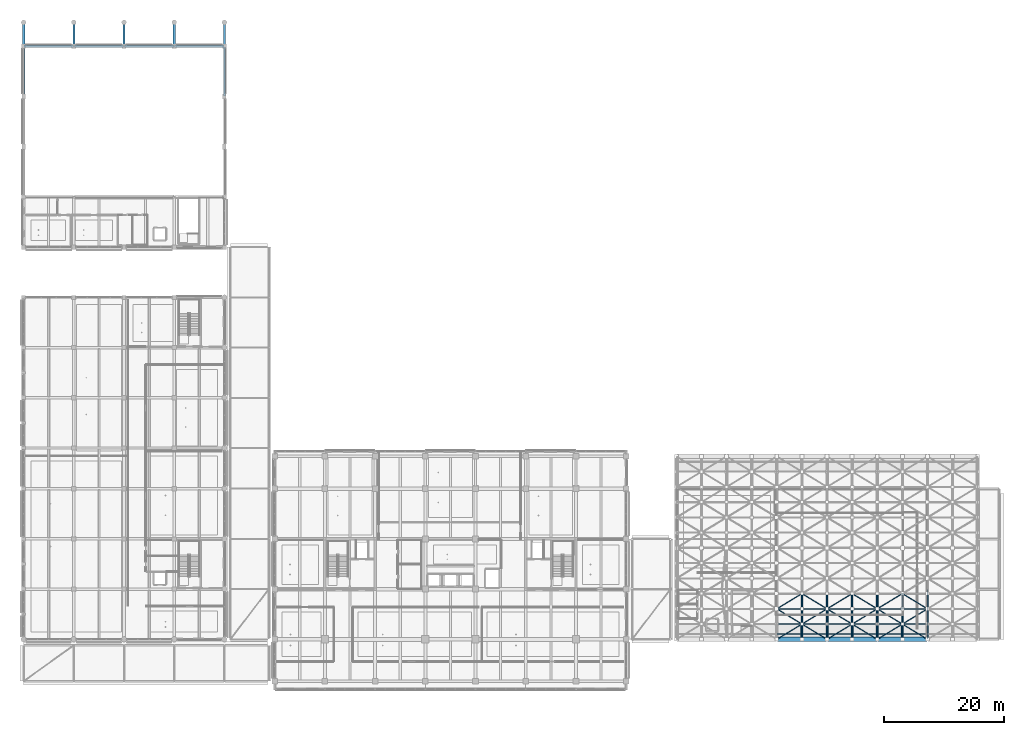
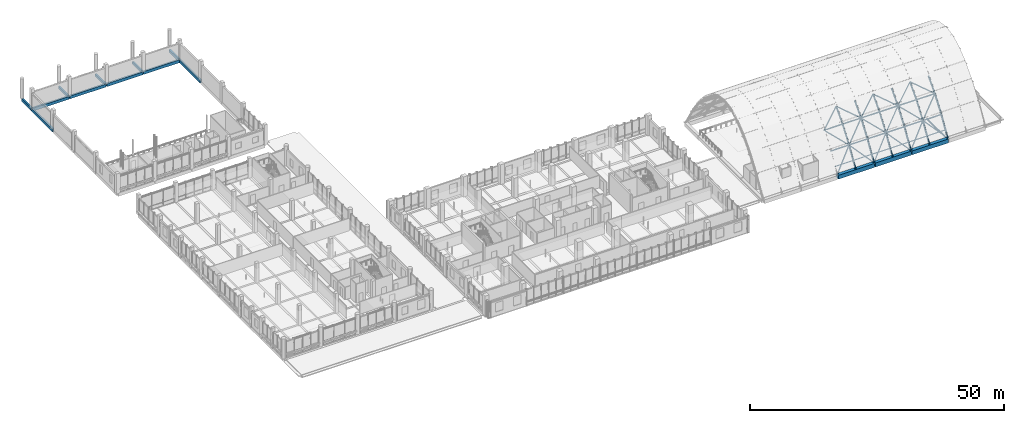
# One storey, part 33 of 128: 45 members, 24 beams.
"""IFC4 building model written with IfcOpenShell, lengths in metres."""

from ifc_helpers import new_model, si_unit, direction, frame, origin, origin_2d, place, context, subcontext, project, spatial, rectangle, hollow_circle, i_section, extrude, material, material_profile, profile_set, type_object, element, save


model = new_model("IFC4")

# Units and contexts
model_context = context("Model", 3, precision=1e-05, world=origin(), true_north=direction((0.0, 1.0)))
body_context = subcontext(model_context, "Body", "Model", "MODEL_VIEW")
ifc_project = project(units=[si_unit("LENGTHUNIT", "METRE"), si_unit("AREAUNIT", "SQUARE_METRE"), si_unit("VOLUMEUNIT", "CUBIC_METRE"), si_unit("PLANEANGLEUNIT", "RADIAN"), si_unit("MASSUNIT", "GRAM", prefix="KILO")], contexts=[model_context])

# Site, building, storey
site_placement = place(None, origin())
site = spatial("IfcSite", under=ifc_project, at=site_placement, CompositionType="ELEMENT")
building_placement = place(site_placement, origin())
building = spatial("IfcBuilding", under=site, at=building_placement, Name="Telukmera Botanical Conservatory", CompositionType="ELEMENT")
storey_placement = place(building_placement, frame((0.0, 0.0, 5.39990234375)))
storey = spatial("IfcBuildingStorey", under=building, at=storey_placement, Name="L01", CompositionType="ELEMENT", Elevation=5.39990234375)

# Beams
ifc_material_1 = material(Name="Concrete C40/50", Category="concrete")
ifc_material_profile_1 = material_profile(ifc_material_1, rectangle(XDim=0.39990234375, YDim=0.699951171875, at=origin_2d()), Name="RC 400x700")
ifc_profile_set_1 = profile_set([ifc_material_profile_1], Name="Concrete C40/50")
beam_type_1 = type_object("IfcBeamType", Name="Beam_B7", PredefinedType="BEAM", material=ifc_profile_set_1)
beam_1_placement = place(storey_placement, frame((8.47998046875, 116.800048828125, -0.349853515625), z_axis=(1.0, 0.0, 0.0), x_axis=(0.0, 1.0, 0.0)))
element("IfcBeam", 1, at=beam_1_placement, inside=storey, type_object=beam_type_1, Name="Auditorium Frame Beam beam:V2:L01:gx:1168:84", PredefinedType="BEAM", context=body_context, shape_type="SweptSolid", body=[
    extrude(rectangle(XDim=0.39990234375, YDim=0.699951171875, at=origin_2d()), origin(), (0.0, 0.0, 1.0), 8.239990234375),
])
beam_2_placement = place(storey_placement, frame((16.8798828125, 116.800048828125, -0.349853515625), z_axis=(1.0, 0.0, 0.0), x_axis=(0.0, 1.0, 0.0)))
element("IfcBeam", 2, at=beam_2_placement, inside=storey, type_object=beam_type_1, Name="Auditorium Frame Beam beam:V2:L01:gx:1168:168", PredefinedType="BEAM", context=body_context, shape_type="SweptSolid", body=[
    extrude(rectangle(XDim=0.39990234375, YDim=0.699951171875, at=origin_2d()), origin(), (0.0, 0.0, 1.0), 8.240234375),
])
for number, where, z_axis, x_axis, name in (
    (3, (25.280029296875, 116.800048828125, -0.349853515625), (1.0, 0.0, 0.0), (0.0, 1.0, 0.0), "Auditorium Frame Beam beam:V2:L01:gx:1168:252"),
    (4, (33.679931640625, 116.800048828125, -0.349853515625), (1.0, 0.0, 0.0), (0.0, 1.0, 0.0), "Auditorium Frame Beam beam:V2:L01:gx:1168:336"),
    (5, (8.39990234375, 108.47998046875, -0.349853515625), (0.0, 1.0, 0.0), (-1.0, 0.0, 0.0), "Auditorium Frame Beam beam:V2:L01:gy:84:1084"),
):
    element("IfcBeam", number, at=place(storey_placement, frame(where, z_axis=z_axis, x_axis=x_axis)), inside=storey, type_object=beam_type_1, Name=name, PredefinedType="BEAM", context=body_context, shape_type="SweptSolid", body=[
        extrude(rectangle(XDim=0.39990234375, YDim=0.699951171875, at=origin_2d()), origin(), (0.0, 0.0, 1.0), 8.239990234375),
    ])
beam_3_placement = place(storey_placement, frame((8.39990234375, 116.8798828125, -0.349853515625), z_axis=(0.0, 1.0, 0.0), x_axis=(-1.0, 0.0, 0.0)))
element("IfcBeam", 6, at=beam_3_placement, inside=storey, type_object=beam_type_1, Name="Auditorium Frame Beam beam:V2:L01:gy:84:1168", PredefinedType="BEAM", context=body_context, shape_type="SweptSolid", body=[
    extrude(rectangle(XDim=0.39990234375, YDim=0.699951171875, at=origin_2d()), origin(), (0.0, 0.0, 1.0), 3.840087890625),
])
beam_4_placement = place(storey_placement, frame((42.0, 108.47998046875, -0.349853515625), z_axis=(0.0, 1.0, 0.0), x_axis=(-1.0, 0.0, 0.0)))
element("IfcBeam", 7, at=beam_4_placement, inside=storey, type_object=beam_type_1, Name="Auditorium Frame Beam beam:V2:L01:gy:420:1084", PredefinedType="BEAM", context=body_context, shape_type="SweptSolid", body=[
    extrude(rectangle(XDim=0.39990234375, YDim=0.699951171875, at=origin_2d()), origin(), (0.0, 0.0, 1.0), 8.239990234375),
])
beam_5_placement = place(storey_placement, frame((42.0, 116.8798828125, -0.349853515625), z_axis=(0.0, 1.0, 0.0), x_axis=(-1.0, 0.0, 0.0)))
element("IfcBeam", 8, at=beam_5_placement, inside=storey, type_object=beam_type_1, Name="Auditorium Frame Beam beam:V2:L01:gy:420:1168", PredefinedType="BEAM", context=body_context, shape_type="SweptSolid", body=[
    extrude(rectangle(XDim=0.39990234375, YDim=0.699951171875, at=origin_2d()), origin(), (0.0, 0.0, 1.0), 3.840087890625),
])
ifc_material_profile_2 = material_profile(ifc_material_1, rectangle(XDim=0.35009765625, YDim=0.60009765625, at=origin_2d()), Name="RC 350x600")
ifc_profile_set_2 = profile_set([ifc_material_profile_2], Name="Concrete C40/50")
beam_type_2 = type_object("IfcBeamType", Name="Beam_B9", PredefinedType="BEAM", material=ifc_profile_set_2)
for number, where, z_axis, x_axis, name in (
    (9, (16.800048828125, 116.8798828125, -0.2998046875), (0.0, 1.0, 0.0), (-1.0, 0.0, 0.0), "Auditorium Frame Beam beam:V2:L01:port_y:168"),
    (10, (25.199951171875, 116.8798828125, -0.2998046875), (0.0, 1.0, 0.0), (-1.0, 0.0, 0.0), "Auditorium Frame Beam beam:V2:L01:port_y:252"),
    (11, (33.60009765625, 116.8798828125, -0.2998046875), (0.0, 1.0, 0.0), (-1.0, 0.0, 0.0), "Auditorium Frame Beam beam:V2:L01:port_y:336"),
):
    element("IfcBeam", number, at=place(storey_placement, frame(where, z_axis=z_axis, x_axis=x_axis)), inside=storey, type_object=beam_type_2, Name=name, PredefinedType="BEAM", context=body_context, shape_type="SweptSolid", body=[
        extrude(rectangle(XDim=0.35009765625, YDim=0.60009765625, at=origin_2d()), origin(), (0.0, 0.0, 1.0), 3.840087890625),
    ])
ifc_material_2 = material(Name="Steel S355", Category="steel")
ifc_material_profile_3 = material_profile(ifc_material_2, hollow_circle(Radius=0.203125, WallThickness=0.01611328125, at=origin_2d()), Name="CHS 406.4x16.0")
ifc_profile_set_3 = profile_set([ifc_material_profile_3], Name="Steel S355")
beam_type_3 = type_object("IfcBeamType", Name="Beam_GA1", PredefinedType="BEAM", material=ifc_profile_set_3)
beam_6_placement = place(storey_placement, frame((142.800048828125, 17.60009765625, -0.079833984375), z_axis=(0.0, 0.5205024389, 0.853860182406), x_axis=(-1.0, 0.0, 0.0)))
element("IfcBeam", 12, at=beam_6_placement, inside=storey, type_object=beam_type_3, Name="Conservatory Gridshell Primary Arch Rib A06-00", PredefinedType="BEAM", context=body_context, shape_type="SweptSolid", body=[
    extrude(hollow_circle(Radius=0.203125, WallThickness=0.01611328125, at=origin_2d()), origin(), (0.0, 0.0, 1.0), 4.879150390625),
])
beam_7_placement = place(storey_placement, frame((142.800048828125, 20.161865234375, 4.119384765625), z_axis=(0.0, 0.591606531355, 0.806226836603), x_axis=(-1.0, 0.0, 0.0)))
element("IfcBeam", 13, at=beam_7_placement, inside=storey, type_object=beam_type_3, Name="Conservatory Gridshell Primary Arch Rib A06-01", PredefinedType="BEAM", context=body_context, shape_type="SweptSolid", body=[
    extrude(hollow_circle(Radius=0.203125, WallThickness=0.01611328125, at=origin_2d()), origin(), (0.0, 0.0, 1.0), 4.270263671875),
])
beam_8_placement = place(storey_placement, frame((151.199951171875, 17.60009765625, -0.079833984375), z_axis=(0.0, 0.5205024389, 0.853860182406), x_axis=(-1.0, 0.0, 0.0)))
element("IfcBeam", 14, at=beam_8_placement, inside=storey, type_object=beam_type_3, Name="Conservatory Gridshell Primary Arch Rib A08-00", PredefinedType="BEAM", context=body_context, shape_type="SweptSolid", body=[
    extrude(hollow_circle(Radius=0.203125, WallThickness=0.01611328125, at=origin_2d()), origin(), (0.0, 0.0, 1.0), 4.879150390625),
])
beam_9_placement = place(storey_placement, frame((151.199951171875, 20.161865234375, 4.119384765625), z_axis=(0.0, 0.591606531355, 0.806226836603), x_axis=(-1.0, 0.0, 0.0)))
element("IfcBeam", 15, at=beam_9_placement, inside=storey, type_object=beam_type_3, Name="Conservatory Gridshell Primary Arch Rib A08-01", PredefinedType="BEAM", context=body_context, shape_type="SweptSolid", body=[
    extrude(hollow_circle(Radius=0.203125, WallThickness=0.01611328125, at=origin_2d()), origin(), (0.0, 0.0, 1.0), 4.270263671875),
])
beam_10_placement = place(storey_placement, frame((159.60009765625, 17.60009765625, -0.079833984375), z_axis=(0.0, 0.5205024389, 0.853860182406), x_axis=(-1.0, 0.0, 0.0)))
element("IfcBeam", 16, at=beam_10_placement, inside=storey, type_object=beam_type_3, Name="Conservatory Gridshell Primary Arch Rib A10-00", PredefinedType="BEAM", context=body_context, shape_type="SweptSolid", body=[
    extrude(hollow_circle(Radius=0.203125, WallThickness=0.01611328125, at=origin_2d()), origin(), (0.0, 0.0, 1.0), 4.879150390625),
])
beam_11_placement = place(storey_placement, frame((159.60009765625, 20.161865234375, 4.119384765625), z_axis=(0.0, 0.591606531355, 0.806226836603), x_axis=(-1.0, 0.0, 0.0)))
element("IfcBeam", 17, at=beam_11_placement, inside=storey, type_object=beam_type_3, Name="Conservatory Gridshell Primary Arch Rib A10-01", PredefinedType="BEAM", context=body_context, shape_type="SweptSolid", body=[
    extrude(hollow_circle(Radius=0.203125, WallThickness=0.01611328125, at=origin_2d()), origin(), (0.0, 0.0, 1.0), 4.270263671875),
])
ifc_material_profile_4 = material_profile(ifc_material_2, hollow_circle(Radius=0.177734375, WallThickness=0.012451171875, at=origin_2d()), Name="CHS 355.6x12.5")
ifc_profile_set_4 = profile_set([ifc_material_profile_4], Name="Steel S355")
beam_type_4 = type_object("IfcBeamType", Name="Beam_GA2", PredefinedType="BEAM", material=ifc_profile_set_4)
for number, where, z_axis, x_axis, name in (
    (18, (142.800048828125, 22.713623046875, 7.593017578125), (0.0, 0.677596185256, 0.7354341641), (-1.0, 0.0, 0.0), "Conservatory Gridshell Primary Arch Rib A06-02"),
    (19, (151.199951171875, 22.713623046875, 7.593017578125), (0.0, 0.677596185256, 0.7354341641), (-1.0, 0.0, 0.0), "Conservatory Gridshell Primary Arch Rib A08-02"),
    (20, (159.60009765625, 22.713623046875, 7.593017578125), (0.0, 0.677596185256, 0.7354341641), (-1.0, 0.0, 0.0), "Conservatory Gridshell Primary Arch Rib A10-02"),
):
    element("IfcBeam", number, at=place(storey_placement, frame(where, z_axis=z_axis, x_axis=x_axis)), inside=storey, type_object=beam_type_4, Name=name, PredefinedType="BEAM", context=body_context, shape_type="SweptSolid", body=[
        extrude(hollow_circle(Radius=0.177734375, WallThickness=0.012451171875, at=origin_2d()), origin(), (0.0, 0.0, 1.0), 3.722900390625),
    ])
ifc_material_profile_5 = material_profile(ifc_material_1, rectangle(XDim=0.75, YDim=0.949951171875, at=origin_2d()), Name="RC 750x950")
ifc_profile_set_5 = profile_set([ifc_material_profile_5], Name="Concrete C40/50")
beam_type_5 = type_object("IfcBeamType", Name="Beam_RB1", PredefinedType="BEAM", material=ifc_profile_set_5)
beam_12_placement = place(storey_placement, frame((134.47998046875, 17.60009765625, -0.474853515625), z_axis=(1.0, 0.0, 0.0), x_axis=(0.0, 1.0, 0.0)))
element("IfcBeam", 21, at=beam_12_placement, inside=storey, type_object=beam_type_5, Name="Conservatory Beam beam:V1:L01:rb_x:176:1344", PredefinedType="BEAM", context=body_context, shape_type="SweptSolid", body=[
    extrude(rectangle(XDim=0.75, YDim=0.949951171875, at=origin_2d()), origin(), (0.0, 0.0, 1.0), 8.239990234375),
])
beam_13_placement = place(storey_placement, frame((142.8798828125, 17.60009765625, -0.474853515625), z_axis=(1.0, 0.0, 0.0), x_axis=(0.0, 1.0, 0.0)))
element("IfcBeam", 22, at=beam_13_placement, inside=storey, type_object=beam_type_5, Name="Conservatory Beam beam:V1:L01:rb_x:176:1428", PredefinedType="BEAM", context=body_context, shape_type="SweptSolid", body=[
    extrude(rectangle(XDim=0.75, YDim=0.949951171875, at=origin_2d()), origin(), (0.0, 0.0, 1.0), 8.240234375),
])
beam_14_placement = place(storey_placement, frame((151.280029296875, 17.60009765625, -0.474853515625), z_axis=(1.0, 0.0, 0.0), x_axis=(0.0, 1.0, 0.0)))
element("IfcBeam", 23, at=beam_14_placement, inside=storey, type_object=beam_type_5, Name="Conservatory Beam beam:V1:L01:rb_x:176:1512", PredefinedType="BEAM", context=body_context, shape_type="SweptSolid", body=[
    extrude(rectangle(XDim=0.75, YDim=0.949951171875, at=origin_2d()), origin(), (0.0, 0.0, 1.0), 8.239990234375),
])
ifc_material_profile_6 = material_profile(ifc_material_2, i_section(OverallWidth=0.172119140625, OverallDepth=0.35791015625, WebThickness=0.008056640625, FlangeThickness=0.012939453125, FilletRadius=0.01025390625, at=origin_2d()), Name="UB 356x171x57")
ifc_profile_set_6 = profile_set([ifc_material_profile_6], Name="Steel S355")
beam_type_6 = type_object("IfcBeamType", Name="Beam_SB5", PredefinedType="JOIST", material=ifc_profile_set_6)
beam_15_placement = place(storey_placement, frame((159.60009765625, 17.679931640625, -0.37890625), z_axis=(0.0, 1.0, 0.0), x_axis=(-1.0, 0.0, 0.0)))
element("IfcBeam", 24, at=beam_15_placement, inside=storey, type_object=beam_type_6, Name="Conservatory Skywalk Transverse Steel Beam", PredefinedType="JOIST", context=body_context, shape_type="SweptSolid", body=[
    extrude(i_section(OverallWidth=0.172119140625, OverallDepth=0.35791015625, WebThickness=0.008056640625, FlangeThickness=0.012939453125, FilletRadius=0.01025390625, at=origin_2d()), origin(), (0.0, 0.0, 1.0), 8.239990234375),
])

# Members
ifc_material_profile_7 = material_profile(ifc_material_2, hollow_circle(Radius=0.084228515625, WallThickness=0.008056640625, at=origin_2d()), Name="CHS 168.3x8.0")
ifc_profile_set_7 = profile_set([ifc_material_profile_7], Name="Steel S355")
member_type_1 = type_object("IfcMemberType", Name="Mem_GBX1", PredefinedType="USERDEFINED", material=ifc_profile_set_7)
member_1_placement = place(storey_placement, frame((134.39990234375, 17.60009765625, -0.079833984375), z_axis=(0.650865922771, 0.395153697796, 0.648249262008), x_axis=(-0.518963837977, 0.854796194933, 0.0)))
element("IfcMember", 25, at=member_1_placement, inside=storey, type_object=member_type_1, Name="Conservatory Gridshell Diagrid Lacing Rib D04-00", ObjectType="GRIDSHELL_RIB", PredefinedType="USERDEFINED", context=body_context, shape_type="SweptSolid", body=[
    extrude(hollow_circle(Radius=0.084228515625, WallThickness=0.008056640625, at=origin_2d()), origin(), (0.0, 0.0, 1.0), 6.437744140625),
])
member_2_placement = place(storey_placement, frame((138.589599609375, 20.156494140625, 4.11181640625), z_axis=(-0.697903605721, 0.423683506873, 0.57742778174), x_axis=(-0.5189390409, -0.854811249242, 0.0)))
element("IfcMember", 26, at=member_2_placement, inside=storey, type_object=member_type_1, Name="Conservatory Gridshell Diagrid Lacing Rib D04-01", ObjectType="GRIDSHELL_RIB", PredefinedType="USERDEFINED", context=body_context, shape_type="SweptSolid", body=[
    extrude(hollow_circle(Radius=0.084228515625, WallThickness=0.008056640625, at=origin_2d()), origin(), (0.0, 0.0, 1.0), 5.98828125),
])
member_3_placement = place(storey_placement, frame((134.4111328125, 22.706787109375, 7.585693359375), z_axis=(0.744790622778, 0.452175653345, 0.49073832818), x_axis=(-0.518962491813, 0.854797012215, 0.0)))
element("IfcMember", 27, at=member_3_placement, inside=storey, type_object=member_type_1, Name="Conservatory Gridshell Diagrid Lacing Rib D04-02", ObjectType="GRIDSHELL_RIB", PredefinedType="USERDEFINED", context=body_context, shape_type="SweptSolid", body=[
    extrude(hollow_circle(Radius=0.084228515625, WallThickness=0.008056640625, at=origin_2d()), origin(), (0.0, 0.0, 1.0), 5.609375),
])
member_4_placement = place(storey_placement, frame((142.800048828125, 17.60009765625, -0.079833984375), z_axis=(-0.650865922771, 0.395153697796, 0.648249262008), x_axis=(-0.518963837977, -0.854796194933, 0.0)))
element("IfcMember", 28, at=member_4_placement, inside=storey, type_object=member_type_1, Name="Conservatory Gridshell Diagrid Lacing Rib D05-00", ObjectType="GRIDSHELL_RIB", PredefinedType="USERDEFINED", context=body_context, shape_type="SweptSolid", body=[
    extrude(hollow_circle(Radius=0.084228515625, WallThickness=0.008056640625, at=origin_2d()), origin(), (0.0, 0.0, 1.0), 6.437744140625),
])
member_5_placement = place(storey_placement, frame((138.610595703125, 20.156494140625, 4.11181640625), z_axis=(0.697882692567, 0.423695562374, 0.577444211885), x_axis=(-0.518961193204, 0.854797800622, 0.0)))
element("IfcMember", 29, at=member_5_placement, inside=storey, type_object=member_type_1, Name="Conservatory Gridshell Diagrid Lacing Rib D05-01", ObjectType="GRIDSHELL_RIB", PredefinedType="USERDEFINED", context=body_context, shape_type="SweptSolid", body=[
    extrude(hollow_circle(Radius=0.084228515625, WallThickness=0.008056640625, at=origin_2d()), origin(), (0.0, 0.0, 1.0), 5.988037109375),
])
member_6_placement = place(storey_placement, frame((142.788818359375, 22.706787109375, 7.585693359375), z_axis=(-0.744790622778, 0.452175653345, 0.49073832818), x_axis=(-0.518962491813, -0.854797012215, 0.0)))
element("IfcMember", 30, at=member_6_placement, inside=storey, type_object=member_type_1, Name="Conservatory Gridshell Diagrid Lacing Rib D05-02", ObjectType="GRIDSHELL_RIB", PredefinedType="USERDEFINED", context=body_context, shape_type="SweptSolid", body=[
    extrude(hollow_circle(Radius=0.084228515625, WallThickness=0.008056640625, at=origin_2d()), origin(), (0.0, 0.0, 1.0), 5.609375),
])
member_7_placement = place(storey_placement, frame((142.800048828125, 17.60009765625, -0.079833984375), z_axis=(0.650865922771, 0.395153697796, 0.648249262008), x_axis=(-0.518963837977, 0.854796194933, 0.0)))
element("IfcMember", 31, at=member_7_placement, inside=storey, type_object=member_type_1, Name="Conservatory Gridshell Diagrid Lacing Rib D06-00", ObjectType="GRIDSHELL_RIB", PredefinedType="USERDEFINED", context=body_context, shape_type="SweptSolid", body=[
    extrude(hollow_circle(Radius=0.084228515625, WallThickness=0.008056640625, at=origin_2d()), origin(), (0.0, 0.0, 1.0), 6.437744140625),
])
member_8_placement = place(storey_placement, frame((146.989501953125, 20.156494140625, 4.11181640625), z_axis=(-0.697882692567, 0.423695562374, 0.577444211885), x_axis=(-0.518961193204, -0.854797800622, 0.0)))
element("IfcMember", 32, at=member_8_placement, inside=storey, type_object=member_type_1, Name="Conservatory Gridshell Diagrid Lacing Rib D06-01", ObjectType="GRIDSHELL_RIB", PredefinedType="USERDEFINED", context=body_context, shape_type="SweptSolid", body=[
    extrude(hollow_circle(Radius=0.084228515625, WallThickness=0.008056640625, at=origin_2d()), origin(), (0.0, 0.0, 1.0), 5.988037109375),
])
member_9_placement = place(storey_placement, frame((142.811279296875, 22.706787109375, 7.585693359375), z_axis=(0.74477124096, 0.452190311632, 0.490754236563), x_axis=(-0.518984652148, 0.854783557888, 0.0)))
element("IfcMember", 33, at=member_9_placement, inside=storey, type_object=member_type_1, Name="Conservatory Gridshell Diagrid Lacing Rib D06-02", ObjectType="GRIDSHELL_RIB", PredefinedType="USERDEFINED", context=body_context, shape_type="SweptSolid", body=[
    extrude(hollow_circle(Radius=0.084228515625, WallThickness=0.008056640625, at=origin_2d()), origin(), (0.0, 0.0, 1.0), 5.609130859375),
])
member_10_placement = place(storey_placement, frame((151.199951171875, 17.60009765625, -0.079833984375), z_axis=(-0.650865922771, 0.395153697796, 0.648249262008), x_axis=(-0.518963837977, -0.854796194933, 0.0)))
element("IfcMember", 34, at=member_10_placement, inside=storey, type_object=member_type_1, Name="Conservatory Gridshell Diagrid Lacing Rib D07-00", ObjectType="GRIDSHELL_RIB", PredefinedType="USERDEFINED", context=body_context, shape_type="SweptSolid", body=[
    extrude(hollow_circle(Radius=0.084228515625, WallThickness=0.008056640625, at=origin_2d()), origin(), (0.0, 0.0, 1.0), 6.437744140625),
])
member_11_placement = place(storey_placement, frame((147.010498046875, 20.156494140625, 4.11181640625), z_axis=(0.697882692567, 0.423695562374, 0.577444211885), x_axis=(-0.518961193204, 0.854797800622, 0.0)))
element("IfcMember", 35, at=member_11_placement, inside=storey, type_object=member_type_1, Name="Conservatory Gridshell Diagrid Lacing Rib D07-01", ObjectType="GRIDSHELL_RIB", PredefinedType="USERDEFINED", context=body_context, shape_type="SweptSolid", body=[
    extrude(hollow_circle(Radius=0.084228515625, WallThickness=0.008056640625, at=origin_2d()), origin(), (0.0, 0.0, 1.0), 5.988037109375),
])
member_12_placement = place(storey_placement, frame((151.188720703125, 22.706787109375, 7.585693359375), z_axis=(-0.74477124096, 0.452190311632, 0.490754236563), x_axis=(-0.518984652148, -0.854783557888, 0.0)))
element("IfcMember", 36, at=member_12_placement, inside=storey, type_object=member_type_1, Name="Conservatory Gridshell Diagrid Lacing Rib D07-02", ObjectType="GRIDSHELL_RIB", PredefinedType="USERDEFINED", context=body_context, shape_type="SweptSolid", body=[
    extrude(hollow_circle(Radius=0.084228515625, WallThickness=0.008056640625, at=origin_2d()), origin(), (0.0, 0.0, 1.0), 5.609130859375),
])
member_13_placement = place(storey_placement, frame((151.199951171875, 17.60009765625, -0.079833984375), z_axis=(0.650865922771, 0.395153697796, 0.648249262008), x_axis=(-0.518963837977, 0.854796194933, 0.0)))
element("IfcMember", 37, at=member_13_placement, inside=storey, type_object=member_type_1, Name="Conservatory Gridshell Diagrid Lacing Rib D08-00", ObjectType="GRIDSHELL_RIB", PredefinedType="USERDEFINED", context=body_context, shape_type="SweptSolid", body=[
    extrude(hollow_circle(Radius=0.084228515625, WallThickness=0.008056640625, at=origin_2d()), origin(), (0.0, 0.0, 1.0), 6.437744140625),
])
member_14_placement = place(storey_placement, frame((155.389404296875, 20.156494140625, 4.11181640625), z_axis=(-0.697882692567, 0.423695562374, 0.577444211885), x_axis=(-0.518961193204, -0.854797800622, 0.0)))
element("IfcMember", 38, at=member_14_placement, inside=storey, type_object=member_type_1, Name="Conservatory Gridshell Diagrid Lacing Rib D08-01", ObjectType="GRIDSHELL_RIB", PredefinedType="USERDEFINED", context=body_context, shape_type="SweptSolid", body=[
    extrude(hollow_circle(Radius=0.084228515625, WallThickness=0.008056640625, at=origin_2d()), origin(), (0.0, 0.0, 1.0), 5.988037109375),
])
member_15_placement = place(storey_placement, frame((151.211181640625, 22.706787109375, 7.585693359375), z_axis=(0.744790622778, 0.452175653345, 0.49073832818), x_axis=(-0.518962491813, 0.854797012215, 0.0)))
element("IfcMember", 39, at=member_15_placement, inside=storey, type_object=member_type_1, Name="Conservatory Gridshell Diagrid Lacing Rib D08-02", ObjectType="GRIDSHELL_RIB", PredefinedType="USERDEFINED", context=body_context, shape_type="SweptSolid", body=[
    extrude(hollow_circle(Radius=0.084228515625, WallThickness=0.008056640625, at=origin_2d()), origin(), (0.0, 0.0, 1.0), 5.609375),
])
member_16_placement = place(storey_placement, frame((159.60009765625, 17.60009765625, -0.079833984375), z_axis=(-0.650865922771, 0.395153697796, 0.648249262008), x_axis=(-0.518963837977, -0.854796194933, 0.0)))
element("IfcMember", 40, at=member_16_placement, inside=storey, type_object=member_type_1, Name="Conservatory Gridshell Diagrid Lacing Rib D09-00", ObjectType="GRIDSHELL_RIB", PredefinedType="USERDEFINED", context=body_context, shape_type="SweptSolid", body=[
    extrude(hollow_circle(Radius=0.084228515625, WallThickness=0.008056640625, at=origin_2d()), origin(), (0.0, 0.0, 1.0), 6.437744140625),
])
member_17_placement = place(storey_placement, frame((155.410400390625, 20.156494140625, 4.11181640625), z_axis=(0.697903605721, 0.423683506873, 0.57742778174), x_axis=(-0.5189390409, 0.854811249242, 0.0)))
element("IfcMember", 41, at=member_17_placement, inside=storey, type_object=member_type_1, Name="Conservatory Gridshell Diagrid Lacing Rib D09-01", ObjectType="GRIDSHELL_RIB", PredefinedType="USERDEFINED", context=body_context, shape_type="SweptSolid", body=[
    extrude(hollow_circle(Radius=0.084228515625, WallThickness=0.008056640625, at=origin_2d()), origin(), (0.0, 0.0, 1.0), 5.98828125),
])
member_18_placement = place(storey_placement, frame((159.5888671875, 22.706787109375, 7.585693359375), z_axis=(-0.744790622778, 0.452175653345, 0.49073832818), x_axis=(-0.518962491813, -0.854797012215, 0.0)))
element("IfcMember", 42, at=member_18_placement, inside=storey, type_object=member_type_1, Name="Conservatory Gridshell Diagrid Lacing Rib D09-02", ObjectType="GRIDSHELL_RIB", PredefinedType="USERDEFINED", context=body_context, shape_type="SweptSolid", body=[
    extrude(hollow_circle(Radius=0.084228515625, WallThickness=0.008056640625, at=origin_2d()), origin(), (0.0, 0.0, 1.0), 5.609375),
])
ifc_material_profile_8 = material_profile(ifc_material_2, hollow_circle(Radius=0.203125, WallThickness=0.01611328125, at=origin_2d()), Name="CHS 406.4x16.0")
ifc_profile_set_8 = profile_set([ifc_material_profile_8], Name="Steel S355")
member_type_2 = type_object("IfcMemberType", Name="Mem_GM1", PredefinedType="USERDEFINED", material=ifc_profile_set_8)
for number, where, z_axis, x_axis, name in (
    (43, (138.60009765625, 17.60009765625, -0.079833984375), (0.0, 0.5205024389, 0.853860182406), (-1.0, 0.0, 0.0), "Conservatory Gridshell Arch Segment A05-00"),
    (44, (147.0, 17.60009765625, -0.079833984375), (0.0, 0.5205024389, 0.853860182406), (-1.0, 0.0, 0.0), "Conservatory Gridshell Arch Segment A07-00"),
    (45, (155.39990234375, 17.60009765625, -0.079833984375), (0.0, 0.5205024389, 0.853860182406), (-1.0, 0.0, 0.0), "Conservatory Gridshell Arch Segment A09-00"),
):
    element("IfcMember", number, at=place(storey_placement, frame(where, z_axis=z_axis, x_axis=x_axis)), inside=storey, type_object=member_type_2, Name=name, ObjectType="ARCH_SEGMENT", PredefinedType="USERDEFINED", context=body_context, shape_type="SweptSolid", body=[
        extrude(hollow_circle(Radius=0.203125, WallThickness=0.01611328125, at=origin_2d()), origin(), (0.0, 0.0, 1.0), 4.879150390625),
    ])
ifc_material_profile_9 = material_profile(ifc_material_2, hollow_circle(Radius=0.177734375, WallThickness=0.012451171875, at=origin_2d()), Name="CHS 355.6x12.5")
ifc_profile_set_9 = profile_set([ifc_material_profile_9], Name="Steel S355")
member_type_3 = type_object("IfcMemberType", Name="Mem_GM2", PredefinedType="USERDEFINED", material=ifc_profile_set_9)
member_19_placement = place(storey_placement, frame((138.60009765625, 20.161865234375, 4.119384765625), z_axis=(0.0, 0.591606531355, 0.806226836603), x_axis=(-1.0, 0.0, 0.0)))
element("IfcMember", 46, at=member_19_placement, inside=storey, type_object=member_type_3, Name="Conservatory Gridshell Arch Segment A05-01", ObjectType="ARCH_SEGMENT", PredefinedType="USERDEFINED", context=body_context, shape_type="SweptSolid", body=[
    extrude(hollow_circle(Radius=0.177734375, WallThickness=0.012451171875, at=origin_2d()), origin(), (0.0, 0.0, 1.0), 4.270263671875),
])
member_20_placement = place(storey_placement, frame((138.60009765625, 22.713623046875, 7.593017578125), z_axis=(0.0, 0.677596185256, 0.7354341641), x_axis=(-1.0, 0.0, 0.0)))
element("IfcMember", 47, at=member_20_placement, inside=storey, type_object=member_type_3, Name="Conservatory Gridshell Arch Segment A05-02", ObjectType="ARCH_SEGMENT", PredefinedType="USERDEFINED", context=body_context, shape_type="SweptSolid", body=[
    extrude(hollow_circle(Radius=0.177734375, WallThickness=0.012451171875, at=origin_2d()), origin(), (0.0, 0.0, 1.0), 3.722900390625),
])
member_21_placement = place(storey_placement, frame((147.0, 20.161865234375, 4.119384765625), z_axis=(0.0, 0.591606531355, 0.806226836603), x_axis=(-1.0, 0.0, 0.0)))
element("IfcMember", 48, at=member_21_placement, inside=storey, type_object=member_type_3, Name="Conservatory Gridshell Arch Segment A07-01", ObjectType="ARCH_SEGMENT", PredefinedType="USERDEFINED", context=body_context, shape_type="SweptSolid", body=[
    extrude(hollow_circle(Radius=0.177734375, WallThickness=0.012451171875, at=origin_2d()), origin(), (0.0, 0.0, 1.0), 4.270263671875),
])
member_22_placement = place(storey_placement, frame((147.0, 22.713623046875, 7.593017578125), z_axis=(0.0, 0.677596185256, 0.7354341641), x_axis=(-1.0, 0.0, 0.0)))
element("IfcMember", 49, at=member_22_placement, inside=storey, type_object=member_type_3, Name="Conservatory Gridshell Arch Segment A07-02", ObjectType="ARCH_SEGMENT", PredefinedType="USERDEFINED", context=body_context, shape_type="SweptSolid", body=[
    extrude(hollow_circle(Radius=0.177734375, WallThickness=0.012451171875, at=origin_2d()), origin(), (0.0, 0.0, 1.0), 3.722900390625),
])
member_23_placement = place(storey_placement, frame((155.39990234375, 20.161865234375, 4.119384765625), z_axis=(0.0, 0.591606531355, 0.806226836603), x_axis=(-1.0, 0.0, 0.0)))
element("IfcMember", 50, at=member_23_placement, inside=storey, type_object=member_type_3, Name="Conservatory Gridshell Arch Segment A09-01", ObjectType="ARCH_SEGMENT", PredefinedType="USERDEFINED", context=body_context, shape_type="SweptSolid", body=[
    extrude(hollow_circle(Radius=0.177734375, WallThickness=0.012451171875, at=origin_2d()), origin(), (0.0, 0.0, 1.0), 4.270263671875),
])
member_24_placement = place(storey_placement, frame((155.39990234375, 22.713623046875, 7.593017578125), z_axis=(0.0, 0.677596185256, 0.7354341641), x_axis=(-1.0, 0.0, 0.0)))
element("IfcMember", 51, at=member_24_placement, inside=storey, type_object=member_type_3, Name="Conservatory Gridshell Arch Segment A09-02", ObjectType="ARCH_SEGMENT", PredefinedType="USERDEFINED", context=body_context, shape_type="SweptSolid", body=[
    extrude(hollow_circle(Radius=0.177734375, WallThickness=0.012451171875, at=origin_2d()), origin(), (0.0, 0.0, 1.0), 3.722900390625),
])
ifc_material_profile_10 = material_profile(ifc_material_2, hollow_circle(Radius=0.109619140625, WallThickness=0.010009765625, at=origin_2d()), Name="CHS 219.1x10.0")
ifc_profile_set_10 = profile_set([ifc_material_profile_10], Name="Steel S355")
member_type_4 = type_object("IfcMemberType", Name="Mem_GP1", PredefinedType="PURLIN", material=ifc_profile_set_10)
member_25_placement = place(storey_placement, frame((134.419921875, 18.492431640625, 1.38427734375), z_axis=(1.0, 0.0, 0.0), x_axis=(0.0, 1.0, 0.0)))
element("IfcMember", 52, at=member_25_placement, inside=storey, type_object=member_type_4, Name="Conservatory Gridshell Longitudinal Rib P04-00", PredefinedType="PURLIN", context=body_context, shape_type="SweptSolid", body=[
    extrude(hollow_circle(Radius=0.109619140625, WallThickness=0.010009765625, at=origin_2d()), origin(), (0.0, 0.0, 1.0), 4.16015625),
])
for number, where, z_axis, x_axis, name in (
    (53, (138.6201171875, 18.492431640625, 1.38427734375), (1.0, 0.0, 0.0), (0.0, 1.0, 0.0), "Conservatory Gridshell Longitudinal Rib P05-00"),
    (54, (142.820068359375, 18.492431640625, 1.38427734375), (1.0, 0.0, 0.0), (0.0, 1.0, 0.0), "Conservatory Gridshell Longitudinal Rib P06-00"),
    (55, (147.02001953125, 18.492431640625, 1.38427734375), (1.0, 0.0, 0.0), (0.0, 1.0, 0.0), "Conservatory Gridshell Longitudinal Rib P07-00"),
    (56, (151.219970703125, 18.492431640625, 1.38427734375), (1.0, 0.0, 0.0), (0.0, 1.0, 0.0), "Conservatory Gridshell Longitudinal Rib P08-00"),
):
    element("IfcMember", number, at=place(storey_placement, frame(where, z_axis=z_axis, x_axis=x_axis)), inside=storey, type_object=member_type_4, Name=name, PredefinedType="PURLIN", context=body_context, shape_type="SweptSolid", body=[
        extrude(hollow_circle(Radius=0.109619140625, WallThickness=0.010009765625, at=origin_2d()), origin(), (0.0, 0.0, 1.0), 4.159912109375),
    ])
member_26_placement = place(storey_placement, frame((155.419921875, 18.492431640625, 1.38427734375), z_axis=(1.0, 0.0, 0.0), x_axis=(0.0, 1.0, 0.0)))
element("IfcMember", 57, at=member_26_placement, inside=storey, type_object=member_type_4, Name="Conservatory Gridshell Longitudinal Rib P09-00", PredefinedType="PURLIN", context=body_context, shape_type="SweptSolid", body=[
    extrude(hollow_circle(Radius=0.109619140625, WallThickness=0.010009765625, at=origin_2d()), origin(), (0.0, 0.0, 1.0), 4.16015625),
])
ifc_material_profile_11 = material_profile(ifc_material_2, hollow_circle(Radius=0.096923828125, WallThickness=0.008056640625, at=origin_2d()), Name="CHS 193.7x8.0")
ifc_profile_set_11 = profile_set([ifc_material_profile_11], Name="Steel S355")
member_type_5 = type_object("IfcMemberType", Name="Mem_GP2", PredefinedType="PURLIN", material=ifc_profile_set_11)
for number, where, z_axis, x_axis, name in (
    (58, (134.419921875, 20.14990234375, 4.103271484375), (1.0, 0.0, 0.0), (0.0, 1.0, 0.0), "Conservatory Gridshell Longitudinal Rib P04-01"),
    (59, (134.419921875, 22.699951171875, 7.578369140625), (1.0, 0.0, 0.0), (0.0, 1.0, 0.0), "Conservatory Gridshell Longitudinal Rib P04-02"),
):
    element("IfcMember", number, at=place(storey_placement, frame(where, z_axis=z_axis, x_axis=x_axis)), inside=storey, type_object=member_type_5, Name=name, PredefinedType="PURLIN", context=body_context, shape_type="SweptSolid", body=[
        extrude(hollow_circle(Radius=0.096923828125, WallThickness=0.008056640625, at=origin_2d()), origin(), (0.0, 0.0, 1.0), 4.16015625),
    ])
for number, where, z_axis, x_axis, name in (
    (60, (138.6201171875, 20.14990234375, 4.103271484375), (1.0, 0.0, 0.0), (0.0, 1.0, 0.0), "Conservatory Gridshell Longitudinal Rib P05-01"),
    (61, (138.6201171875, 22.699951171875, 7.578369140625), (1.0, 0.0, 0.0), (0.0, 1.0, 0.0), "Conservatory Gridshell Longitudinal Rib P05-02"),
    (62, (142.820068359375, 20.14990234375, 4.103271484375), (1.0, 0.0, 0.0), (0.0, 1.0, 0.0), "Conservatory Gridshell Longitudinal Rib P06-01"),
    (63, (142.820068359375, 22.699951171875, 7.578369140625), (1.0, 0.0, 0.0), (0.0, 1.0, 0.0), "Conservatory Gridshell Longitudinal Rib P06-02"),
    (64, (147.02001953125, 20.14990234375, 4.103271484375), (1.0, 0.0, 0.0), (0.0, 1.0, 0.0), "Conservatory Gridshell Longitudinal Rib P07-01"),
    (65, (147.02001953125, 22.699951171875, 7.578369140625), (1.0, 0.0, 0.0), (0.0, 1.0, 0.0), "Conservatory Gridshell Longitudinal Rib P07-02"),
    (66, (151.219970703125, 20.14990234375, 4.103271484375), (1.0, 0.0, 0.0), (0.0, 1.0, 0.0), "Conservatory Gridshell Longitudinal Rib P08-01"),
    (67, (151.219970703125, 22.699951171875, 7.578369140625), (1.0, 0.0, 0.0), (0.0, 1.0, 0.0), "Conservatory Gridshell Longitudinal Rib P08-02"),
):
    element("IfcMember", number, at=place(storey_placement, frame(where, z_axis=z_axis, x_axis=x_axis)), inside=storey, type_object=member_type_5, Name=name, PredefinedType="PURLIN", context=body_context, shape_type="SweptSolid", body=[
        extrude(hollow_circle(Radius=0.096923828125, WallThickness=0.008056640625, at=origin_2d()), origin(), (0.0, 0.0, 1.0), 4.159912109375),
    ])
for number, where, z_axis, x_axis, name in (
    (68, (155.419921875, 20.14990234375, 4.103271484375), (1.0, 0.0, 0.0), (0.0, 1.0, 0.0), "Conservatory Gridshell Longitudinal Rib P09-01"),
    (69, (155.419921875, 22.699951171875, 7.578369140625), (1.0, 0.0, 0.0), (0.0, 1.0, 0.0), "Conservatory Gridshell Longitudinal Rib P09-02"),
):
    element("IfcMember", number, at=place(storey_placement, frame(where, z_axis=z_axis, x_axis=x_axis)), inside=storey, type_object=member_type_5, Name=name, PredefinedType="PURLIN", context=body_context, shape_type="SweptSolid", body=[
        extrude(hollow_circle(Radius=0.096923828125, WallThickness=0.008056640625, at=origin_2d()), origin(), (0.0, 0.0, 1.0), 4.16015625),
    ])

save(model, "model.ifc")
